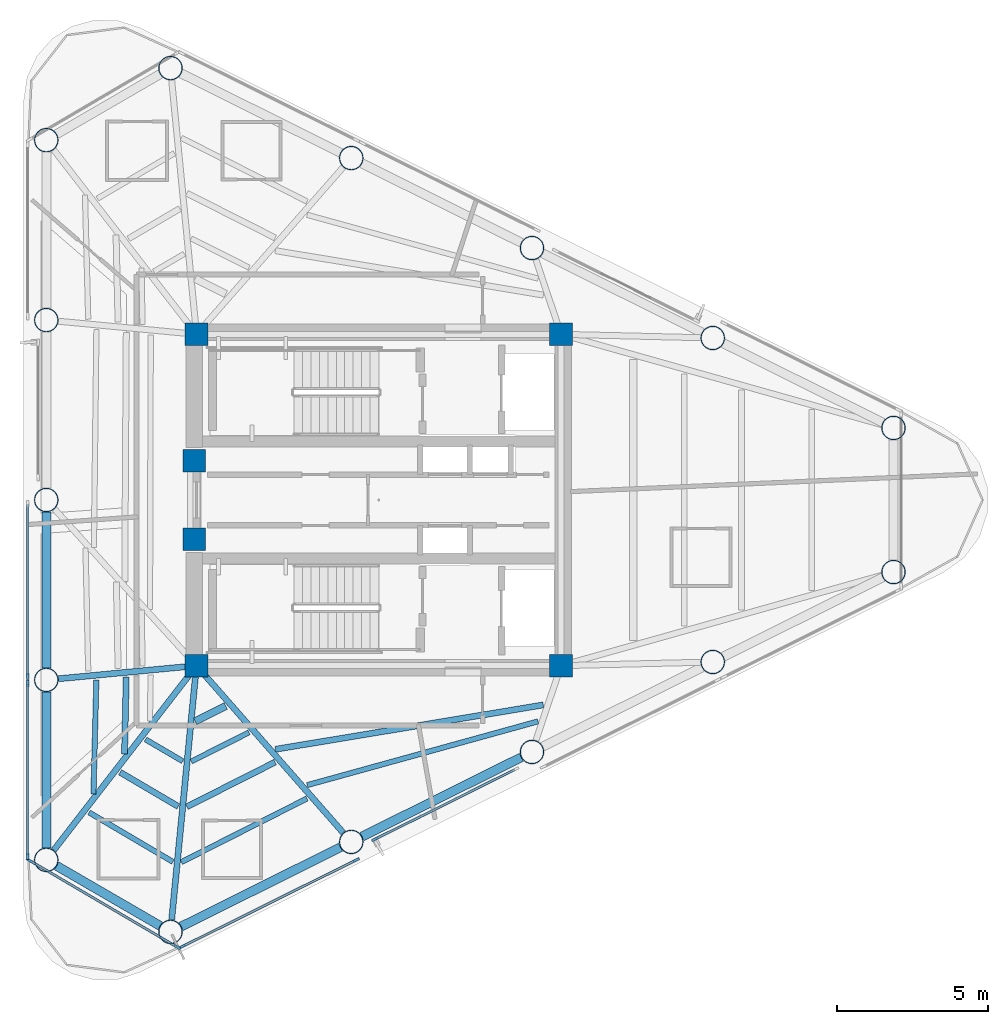
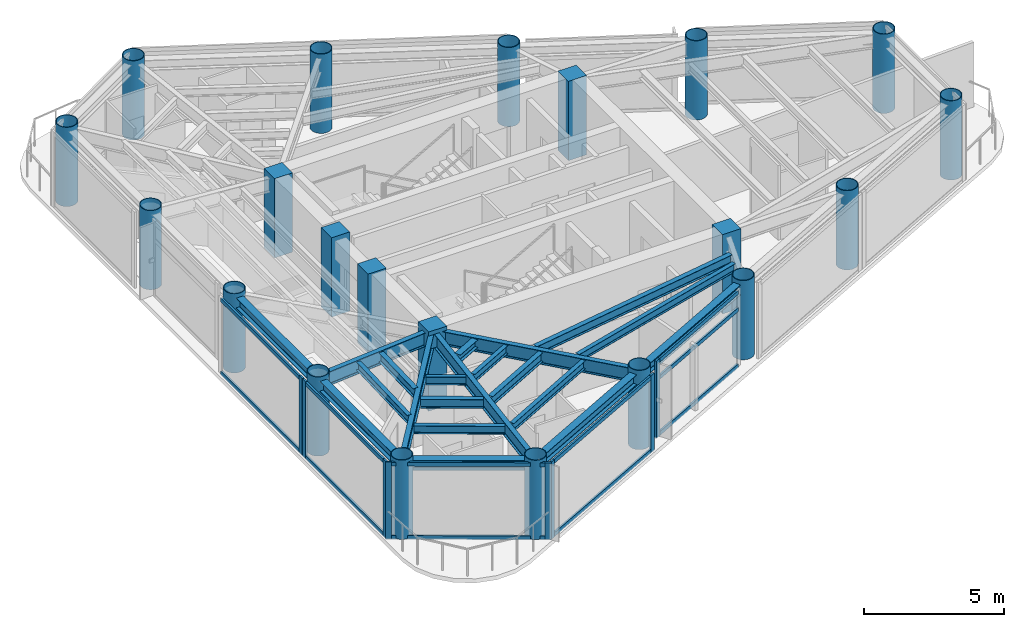
# One storey, part 1 of 10: 21 columns, 20 beams, 19 members, 5 elements without a shape of their own.
"""IFC4 building model written with IfcOpenShell, lengths in metres."""

from ifc_helpers import new_model, si_unit, direction, frame, origin, origin_2d, place, context, subcontext, project, spatial, rectangle, hollow_circle, i_section, extrude, source, transform, mapped, material, layer, layer_set, material_profile, profile_set, type_object, element, aggregate, save


model = new_model("IFC4")

# Units and contexts
model_context = context("Model", 3, precision=1e-05, world=origin(), true_north=direction((0.0, 1.0)))
body_context = subcontext(model_context, "Body", "Model", "MODEL_VIEW")
ifc_project = project(units=[si_unit("LENGTHUNIT", "METRE"), si_unit("AREAUNIT", "SQUARE_METRE"), si_unit("VOLUMEUNIT", "CUBIC_METRE"), si_unit("PLANEANGLEUNIT", "RADIAN"), si_unit("MASSUNIT", "GRAM", prefix="KILO")], contexts=[model_context])

# Site, building, storey
site_placement = place(None, origin())
site = spatial("IfcSite", under=ifc_project, at=site_placement, CompositionType="ELEMENT")
building_placement = place(site_placement, origin())
building = spatial("IfcBuilding", under=site, at=building_placement, Name="Yunling Apex Tower", CompositionType="ELEMENT")
storey_placement = place(building_placement, frame((0.0, 0.0, 300.199951171875)))
storey = spatial("IfcBuildingStorey", under=building, at=storey_placement, Name="L73", CompositionType="ELEMENT", Elevation=300.199951171875)

# Columns
ifc_material_1 = material(Name="Concrete C50", Category="concrete")
ifc_material_profile_1 = material_profile(ifc_material_1, rectangle(XDim=0.75, YDim=0.75, at=origin_2d()))
ifc_profile_set_1 = profile_set([ifc_material_profile_1], Name="Concrete C50")
column_type_1 = type_object("IfcColumnType", Name="PC-SRC-4", PredefinedType="COLUMN", material=ifc_profile_set_1)
shared_shape_1 = source(origin(), body_context, "Body", "SweptSolid", [
    extrude(rectangle(XDim=0.75, YDim=0.75, at=origin_2d()), origin(), (0.0, 0.0, 1.0), 3.449951171875),
])
for number, where, z_axis, x_axis, name in (
    (1, (-6.050048828125, -5.5, 0.0), (0.0, 0.0, 1.0), (1.0, 0.0, 0.0), "L73 Core Spine Column CC-SW"),
    (2, (6.050048828125, -5.5, 0.0), (0.0, 0.0, 1.0), (1.0, 0.0, 0.0), "L73 Core Spine Column CC-SE"),
    (3, (6.050048828125, 5.5, 0.0), (0.0, 0.0, 1.0), (1.0, 0.0, 0.0), "L73 Core Spine Column CC-NE"),
    (4, (-6.050048828125, 5.5, 0.0), (0.0, 0.0, 1.0), (1.0, 0.0, 0.0), "L73 Core Spine Column CC-NW"),
    (5, (-6.125, -1.300048828125, 0.0), (0.0, 0.0, 1.0), (1.0, 0.0, 0.0), "L73 Core West Portal Jamb Column S"),
    (6, (-6.125, 1.300048828125, 0.0), (0.0, 0.0, 1.0), (1.0, 0.0, 0.0), "L73 Core West Portal Jamb Column N"),
):
    element("IfcColumn", number, at=place(storey_placement, frame(where, z_axis=z_axis, x_axis=x_axis)), inside=storey, type_object=column_type_1, Name=name, PredefinedType="COLUMN", context=body_context, shape_type="MappedRepresentation", body=[
        mapped(shared_shape_1, transform((0.0, 0.0, 0.0), scale=1.0)),
    ])
ifc_material_2 = material(Name="Steel Q355B", Category="steel")
ifc_material_profile_2 = material_profile(ifc_material_2, hollow_circle(Radius=0.39990234375, WallThickness=0.028076171875, at=origin_2d()))
ifc_profile_set_2 = profile_set([ifc_material_profile_2], Name="Steel Q355B")
column_type_2 = type_object("IfcColumnType", Name="MC-CFST-7", PredefinedType="COLUMN", material=ifc_profile_set_2)
shared_shape_2 = source(origin(), body_context, "Body", "SweptSolid", [
    extrude(hollow_circle(Radius=0.39990234375, WallThickness=0.028076171875, at=origin_2d()), origin(), (0.0, 0.0, 1.0), 3.449951171875),
])
for number, where, z_axis, x_axis, name in (
    (7, (-6.9140625, -14.336669921875, 0.0), (0.0, 0.0, 1.0), (1.0, 0.0, 0.0), "L73 Perimeter CFST Mega-Column P01"),
    (8, (-0.913818359375, -11.350341796875, 0.0), (0.0, 0.0, 1.0), (1.0, 0.0, 0.0), "L73 Perimeter CFST Mega-Column P02"),
    (9, (5.086181640625, -8.364013671875, 0.0), (0.0, 0.0, 1.0), (1.0, 0.0, 0.0), "L73 Perimeter CFST Mega-Column P03"),
    (10, (11.08642578125, -5.377685546875, 0.0), (0.0, 0.0, 1.0), (1.0, 0.0, 0.0), "L73 Perimeter CFST Mega-Column P04"),
    (11, (17.086669921875, -2.3916015625, 0.0), (0.0, 0.0, 1.0), (1.0, 0.0, 0.0), "L73 Perimeter CFST Mega-Column P05"),
    (12, (17.086669921875, 2.3916015625, 0.0), (0.0, 0.0, 1.0), (1.0, 0.0, 0.0), "L73 Perimeter CFST Mega-Column P06"),
    (13, (11.08642578125, 5.377685546875, 0.0), (0.0, 0.0, 1.0), (1.0, 0.0, 0.0), "L73 Perimeter CFST Mega-Column P07"),
    (14, (5.086181640625, 8.364013671875, 0.0), (0.0, 0.0, 1.0), (1.0, 0.0, 0.0), "L73 Perimeter CFST Mega-Column P08"),
    (15, (-0.913818359375, 11.350341796875, 0.0), (0.0, 0.0, 1.0), (1.0, 0.0, 0.0), "L73 Perimeter CFST Mega-Column P09"),
    (16, (-6.9140625, 14.336669921875, 0.0), (0.0, 0.0, 1.0), (1.0, 0.0, 0.0), "L73 Perimeter CFST Mega-Column P10"),
    (17, (-11.037353515625, 11.9453125, 0.0), (0.0, 0.0, 1.0), (1.0, 0.0, 0.0), "L73 Perimeter CFST Mega-Column P11"),
    (18, (-11.037353515625, 5.97265625, 0.0), (0.0, 0.0, 1.0), (1.0, 0.0, 0.0), "L73 Perimeter CFST Mega-Column P12"),
    (19, (-11.037353515625, 0.0, 0.0), (0.0, 0.0, 1.0), (1.0, 0.0, 0.0), "L73 Perimeter CFST Mega-Column P13"),
    (20, (-11.037353515625, -5.97265625, 0.0), (0.0, 0.0, 1.0), (1.0, 0.0, 0.0), "L73 Perimeter CFST Mega-Column P14"),
    (21, (-11.037353515625, -11.9453125, 0.0), (0.0, 0.0, 1.0), (1.0, 0.0, 0.0), "L73 Perimeter CFST Mega-Column P15"),
):
    element("IfcColumn", number, at=place(storey_placement, frame(where, z_axis=z_axis, x_axis=x_axis)), inside=storey, type_object=column_type_2, Name=name, PredefinedType="COLUMN", context=body_context, shape_type="MappedRepresentation", body=[
        mapped(shared_shape_2, transform((0.0, 0.0, 0.0), scale=1.0)),
    ])

# Beams
ifc_material_profile_3 = material_profile(ifc_material_2, i_section(OverallWidth=0.300048828125, OverallDepth=0.43994140625, WebThickness=0.010986328125, FlangeThickness=0.01806640625, FilletRadius=0.02197265625, at=origin_2d()))
ifc_profile_set_3 = profile_set([ifc_material_profile_3], Name="Steel Q355B")
beam_type_1 = type_object("IfcBeamType", Name="BP-SPN-3", PredefinedType="SPANDREL", material=ifc_profile_set_3)
shared_shape_3 = source(origin(), body_context, "Body", "SweptSolid", [
    extrude(i_section(OverallWidth=0.300048828125, OverallDepth=0.43994140625, WebThickness=0.010986328125, FlangeThickness=0.01806640625, FilletRadius=0.02197265625, at=origin_2d()), origin(), (0.0, 0.0, 1.0), 5.914306640625),
])
for number, where, z_axis, x_axis, name in (
    (22, (-6.561279296875, -14.1611328125, 3.050048828125), (0.895243044542, 0.445578153861, 0.0), (-0.445578153861, 0.895243044542, 0.0), "L73 Perimeter Spandrel Beam 1"),
    (23, (-0.561279296875, -11.1748046875, 3.050048828125), (0.895267705164, 0.445528602999, 0.0), (-0.445528602999, 0.895267705164, 0.0), "L73 Perimeter Spandrel Beam 2"),
):
    element("IfcBeam", number, at=place(storey_placement, frame(where, z_axis=z_axis, x_axis=x_axis)), inside=storey, type_object=beam_type_1, Name=name, PredefinedType="SPANDREL", context=body_context, shape_type="MappedRepresentation", body=[
        mapped(shared_shape_3, transform((0.0, 0.0, 0.0), scale=1.0)),
    ])
shared_shape_4 = source(origin(), body_context, "Body", "SweptSolid", [
    extrude(i_section(OverallWidth=0.300048828125, OverallDepth=0.43994140625, WebThickness=0.010986328125, FlangeThickness=0.01806640625, FilletRadius=0.02197265625, at=origin_2d()), origin(), (0.0, 0.0, 1.0), 3.978515625),
])
beam_1_placement = place(storey_placement, frame((-10.696533203125, -12.142822265625, 3.050048828125), z_axis=(0.86503811344, -0.501706151343, 0.0), x_axis=(0.501706151343, 0.86503811344, 0.0)))
element("IfcBeam", 24, at=beam_1_placement, inside=storey, type_object=beam_type_1, Name="L73 Perimeter Spandrel Beam 15", PredefinedType="SPANDREL", context=body_context, shape_type="MappedRepresentation", body=[
    mapped(shared_shape_4, transform((0.0, 0.0, 0.0), scale=1.0)),
])
shared_shape_5 = source(origin(), body_context, "Body", "SweptSolid", [
    extrude(i_section(OverallWidth=0.300048828125, OverallDepth=0.43994140625, WebThickness=0.010986328125, FlangeThickness=0.01806640625, FilletRadius=0.02197265625, at=origin_2d()), origin(), (0.0, 0.0, 1.0), 5.1845703125),
])
for number, where, z_axis, x_axis, name in (
    (25, (-11.037353515625, -0.39404296875, 3.050048828125), (0.0, -1.0, 0.0), (1.0, 0.0, 0.0), "L73 Perimeter Spandrel Beam 13"),
    (26, (-11.037353515625, -6.36669921875, 3.050048828125), (0.0, -1.0, 0.0), (1.0, 0.0, 0.0), "L73 Perimeter Spandrel Beam 14"),
):
    element("IfcBeam", number, at=place(storey_placement, frame(where, z_axis=z_axis, x_axis=x_axis)), inside=storey, type_object=beam_type_1, Name=name, PredefinedType="SPANDREL", context=body_context, shape_type="MappedRepresentation", body=[
        mapped(shared_shape_5, transform((0.0, 0.0, 0.0), scale=1.0)),
    ])
ifc_material_profile_4 = material_profile(ifc_material_2, i_section(OverallWidth=0.199951171875, OverallDepth=0.60009765625, WebThickness=0.010986328125, FlangeThickness=0.01708984375, FilletRadius=0.02197265625, at=origin_2d()))
ifc_profile_set_4 = profile_set([ifc_material_profile_4], Name="Steel Q355B")
beam_type_2 = type_object("IfcBeamType", Name="BG-PRI-5", PredefinedType="USERDEFINED", material=ifc_profile_set_4)
shared_shape_6 = source(origin(), body_context, "Body", "SweptSolid", [
    extrude(i_section(OverallWidth=0.199951171875, OverallDepth=0.60009765625, WebThickness=0.010986328125, FlangeThickness=0.01708984375, FilletRadius=0.02197265625, at=origin_2d()), origin(), (0.0, 0.0, 1.0), 8.390869140625),
])
beam_2_placement = place(storey_placement, frame((-6.874267578125, -13.9306640625, 2.969970703125), z_axis=(0.097296792844, 0.995255411491, 0.0), x_axis=(-0.995255411491, 0.097296792844, 0.0)))
element("IfcBeam", 27, at=beam_2_placement, inside=storey, type_object=beam_type_2, Name="L73 Radial Primary Girder R01", ObjectType="GIRDER", PredefinedType="USERDEFINED", context=body_context, shape_type="MappedRepresentation", body=[
    mapped(shared_shape_6, transform((0.0, 0.0, 0.0), scale=1.0)),
])
shared_shape_7 = source(origin(), body_context, "Body", "SweptSolid", [
    extrude(i_section(OverallWidth=0.199951171875, OverallDepth=0.60009765625, WebThickness=0.010986328125, FlangeThickness=0.01708984375, FilletRadius=0.02197265625, at=origin_2d()), origin(), (0.0, 0.0, 1.0), 7.297119140625),
])
beam_3_placement = place(storey_placement, frame((-1.18310546875, -11.043701171875, 2.969970703125), z_axis=(-0.659747259747, 0.751487560281, 0.0), x_axis=(-0.751487560281, -0.659747259747, 0.0)))
element("IfcBeam", 28, at=beam_3_placement, inside=storey, type_object=beam_type_2, Name="L73 Radial Primary Girder R02", ObjectType="GIRDER", PredefinedType="USERDEFINED", context=body_context, shape_type="MappedRepresentation", body=[
    mapped(shared_shape_7, transform((0.0, 0.0, 0.0), scale=1.0)),
])
shared_shape_8 = source(origin(), body_context, "Body", "SweptSolid", [
    extrude(i_section(OverallWidth=0.199951171875, OverallDepth=0.60009765625, WebThickness=0.010986328125, FlangeThickness=0.01708984375, FilletRadius=0.02197265625, at=origin_2d()), origin(), (0.0, 0.0, 1.0), 7.661376953125),
])
beam_4_placement = place(storey_placement, frame((-10.78759765625, -11.62255859375, 2.969970703125), z_axis=(0.611959789037, 0.790888877531, 0.0), x_axis=(-0.790888877531, 0.611959789037, 0.0)))
element("IfcBeam", 29, at=beam_4_placement, inside=storey, type_object=beam_type_2, Name="L73 Radial Primary Girder R15", ObjectType="GIRDER", PredefinedType="USERDEFINED", context=body_context, shape_type="MappedRepresentation", body=[
    mapped(shared_shape_8, transform((0.0, 0.0, 0.0), scale=1.0)),
])
shared_shape_9 = source(origin(), body_context, "Body", "SweptSolid", [
    extrude(i_section(OverallWidth=0.199951171875, OverallDepth=0.60009765625, WebThickness=0.010986328125, FlangeThickness=0.01708984375, FilletRadius=0.02197265625, at=origin_2d()), origin(), (0.0, 0.0, 1.0), 4.521728515625),
])
beam_5_placement = place(storey_placement, frame((-10.631103515625, -5.93408203125, 2.969970703125), z_axis=(0.99554122067, 0.094327503661, 0.0), x_axis=(-0.094327503661, 0.99554122067, 0.0)))
element("IfcBeam", 30, at=beam_5_placement, inside=storey, type_object=beam_type_2, Name="L73 Radial Primary Girder R14", ObjectType="GIRDER", PredefinedType="USERDEFINED", context=body_context, shape_type="MappedRepresentation", body=[
    mapped(shared_shape_9, transform((0.0, 0.0, 0.0), scale=1.0)),
])
ifc_material_profile_5 = material_profile(ifc_material_2, i_section(OverallWidth=0.199951171875, OverallDepth=0.39990234375, WebThickness=0.008056640625, FlangeThickness=0.012939453125, FilletRadius=0.01611328125, at=origin_2d()))
ifc_profile_set_5 = profile_set([ifc_material_profile_5], Name="Steel Q355B")
beam_type_3 = type_object("IfcBeamType", Name="BS-SEC-4", PredefinedType="BEAM", material=ifc_profile_set_5)
shared_shape_10 = source(origin(), body_context, "Body", "SweptSolid", [
    extrude(i_section(OverallWidth=0.199951171875, OverallDepth=0.39990234375, WebThickness=0.008056640625, FlangeThickness=0.012939453125, FilletRadius=0.01611328125, at=origin_2d()), origin(), (0.0, 0.0, 1.0), 3.281494140625),
])
beam_6_placement = place(storey_placement, frame((-6.372314453125, -10.18408203125, 3.070068359375), z_axis=(0.892364297468, 0.451315810275, 0.0), x_axis=(-0.451315810275, 0.892364297468, 0.0)))
element("IfcBeam", 31, at=beam_6_placement, inside=storey, type_object=beam_type_3, Name="L73 Composite Floor Beam BS-1", PredefinedType="BEAM", context=body_context, shape_type="MappedRepresentation", body=[
    mapped(shared_shape_10, transform((0.0, 0.0, 0.0), scale=1.0)),
])
ifc_material_profile_6 = material_profile(ifc_material_2, i_section(OverallWidth=0.175048828125, OverallDepth=0.35009765625, WebThickness=0.007080078125, FlangeThickness=0.010986328125, FilletRadius=0.013916015625, at=origin_2d()))
ifc_profile_set_6 = profile_set([ifc_material_profile_6], Name="Steel Q355B")
beam_type_4 = type_object("IfcBeamType", Name="BJ-JST-1", PredefinedType="JOIST", material=ifc_profile_set_6)
shared_shape_11 = source(origin(), body_context, "Body", "SweptSolid", [
    extrude(i_section(OverallWidth=0.175048828125, OverallDepth=0.35009765625, WebThickness=0.007080078125, FlangeThickness=0.010986328125, FilletRadius=0.013916015625, at=origin_2d()), origin(), (0.0, 0.0, 1.0), 4.67138671875),
])
beam_7_placement = place(storey_placement, frame((-6.552001953125, -12.02099609375, 3.094970703125), z_axis=(0.892031280848, 0.45197366515, 0.0), x_axis=(-0.45197366515, 0.892031280848, 0.0)))
element("IfcBeam", 32, at=beam_7_placement, inside=storey, type_object=beam_type_4, Name="L73 Composite Floor Joist BJ1-1", PredefinedType="JOIST", context=body_context, shape_type="MappedRepresentation", body=[
    mapped(shared_shape_11, transform((0.0, 0.0, 0.0), scale=1.0)),
])
shared_shape_12 = source(origin(), body_context, "Body", "SweptSolid", [
    extrude(i_section(OverallWidth=0.175048828125, OverallDepth=0.35009765625, WebThickness=0.007080078125, FlangeThickness=0.010986328125, FilletRadius=0.013916015625, at=origin_2d()), origin(), (0.0, 0.0, 1.0), 2.143798828125),
])
beam_8_placement = place(storey_placement, frame((-6.22509765625, -8.680908203125, 3.094970703125), z_axis=(0.892941835578, 0.45017205408, 0.0), x_axis=(-0.45017205408, 0.892941835578, 0.0)))
element("IfcBeam", 33, at=beam_8_placement, inside=storey, type_object=beam_type_4, Name="L73 Composite Floor Joist BJ3-1", PredefinedType="JOIST", context=body_context, shape_type="MappedRepresentation", body=[
    mapped(shared_shape_12, transform((0.0, 0.0, 0.0), scale=1.0)),
])
ifc_material_profile_7 = material_profile(ifc_material_2, i_section(OverallWidth=0.25, OverallDepth=0.340087890625, WebThickness=0.009033203125, FlangeThickness=0.013916015625, FilletRadius=0.01806640625, at=origin_2d()))
ifc_profile_set_7 = profile_set([ifc_material_profile_7], Name="Steel Q355B")
beam_type_5 = type_object("IfcBeamType", Name="BJ-JST-2", PredefinedType="JOIST", material=ifc_profile_set_7)
shared_shape_13 = source(origin(), body_context, "Body", "SweptSolid", [
    extrude(i_section(OverallWidth=0.25, OverallDepth=0.340087890625, WebThickness=0.009033203125, FlangeThickness=0.013916015625, FilletRadius=0.01806640625, at=origin_2d()), origin(), (0.0, 0.0, 1.0), 1.1328125),
])
beam_9_placement = place(storey_placement, frame((-6.09423828125, -7.34521484375, 3.10009765625), z_axis=(0.894211562533, 0.447644592765, 0.0), x_axis=(-0.447644592765, 0.894211562533, 0.0)))
element("IfcBeam", 34, at=beam_9_placement, inside=storey, type_object=beam_type_5, Name="L73 Composite Floor Joist BJ2-1", PredefinedType="JOIST", context=body_context, shape_type="MappedRepresentation", body=[
    mapped(shared_shape_13, transform((0.0, 0.0, 0.0), scale=1.0)),
])
shared_shape_14 = source(origin(), body_context, "Body", "SweptSolid", [
    extrude(i_section(OverallWidth=0.199951171875, OverallDepth=0.39990234375, WebThickness=0.008056640625, FlangeThickness=0.012939453125, FilletRadius=0.01611328125, at=origin_2d()), origin(), (0.0, 0.0, 1.0), 9.01611328125),
])
beam_10_placement = place(storey_placement, frame((-3.432373046875, -8.27587890625, 3.070068359375), z_axis=(0.986561729833, 0.163388962996, 0.0), x_axis=(-0.163388962996, 0.986561729833, 0.0)))
element("IfcBeam", 35, at=beam_10_placement, inside=storey, type_object=beam_type_3, Name="L73 Composite Floor Beam BS-2", PredefinedType="BEAM", context=body_context, shape_type="MappedRepresentation", body=[
    mapped(shared_shape_14, transform((0.0, 0.0, 0.0), scale=1.0)),
])
shared_shape_15 = source(origin(), body_context, "Body", "SweptSolid", [
    extrude(i_section(OverallWidth=0.175048828125, OverallDepth=0.35009765625, WebThickness=0.007080078125, FlangeThickness=0.010986328125, FilletRadius=0.013916015625, at=origin_2d()), origin(), (0.0, 0.0, 1.0), 7.952392578125),
])
beam_11_placement = place(storey_placement, frame((-2.376708984375, -9.4658203125, 3.094970703125), z_axis=(0.963874198485, 0.266357897377, 0.0), x_axis=(-0.266357897377, 0.963874198485, 0.0)))
element("IfcBeam", 36, at=beam_11_placement, inside=storey, type_object=beam_type_4, Name="L73 Composite Floor Joist BJ1-2", PredefinedType="JOIST", context=body_context, shape_type="MappedRepresentation", body=[
    mapped(shared_shape_15, transform((0.0, 0.0, 0.0), scale=1.0)),
])
shared_shape_16 = source(origin(), body_context, "Body", "SweptSolid", [
    extrude(i_section(OverallWidth=0.199951171875, OverallDepth=0.39990234375, WebThickness=0.008056640625, FlangeThickness=0.012939453125, FilletRadius=0.01611328125, at=origin_2d()), origin(), (0.0, 0.0, 1.0), 2.552734375),
])
beam_12_placement = place(storey_placement, frame((-8.3837890625, -5.880859375, 3.070068359375), z_axis=(-0.021902331041, -0.999760115175, 0.0), x_axis=(0.999760115175, -0.021902331041, 0.0)))
element("IfcBeam", 37, at=beam_12_placement, inside=storey, type_object=beam_type_3, Name="L73 Composite Floor Beam BS-14", PredefinedType="BEAM", context=body_context, shape_type="MappedRepresentation", body=[
    mapped(shared_shape_16, transform((0.0, 0.0, 0.0), scale=1.0)),
])
shared_shape_17 = source(origin(), body_context, "Body", "SweptSolid", [
    extrude(i_section(OverallWidth=0.175048828125, OverallDepth=0.35009765625, WebThickness=0.007080078125, FlangeThickness=0.010986328125, FilletRadius=0.013916015625, at=origin_2d()), origin(), (0.0, 0.0, 1.0), 3.792724609375),
])
beam_13_placement = place(storey_placement, frame((-9.374755859375, -5.974609375, 3.094970703125), z_axis=(-0.02529776075, -0.999679960438, 0.0), x_axis=(0.999679960438, -0.02529776075, 0.0)))
element("IfcBeam", 38, at=beam_13_placement, inside=storey, type_object=beam_type_4, Name="L73 Composite Floor Joist BJ1-14", PredefinedType="JOIST", context=body_context, shape_type="MappedRepresentation", body=[
    mapped(shared_shape_17, transform((0.0, 0.0, 0.0), scale=1.0)),
])
shared_shape_18 = source(origin(), body_context, "Body", "SweptSolid", [
    extrude(i_section(OverallWidth=0.199951171875, OverallDepth=0.39990234375, WebThickness=0.008056640625, FlangeThickness=0.012939453125, FilletRadius=0.01611328125, at=origin_2d()), origin(), (0.0, 0.0, 1.0), 2.243408203125),
])
beam_14_placement = place(storey_placement, frame((-8.586669921875, -9.03759765625, 3.070068359375), z_axis=(0.861925822056, -0.507034394566, 0.0), x_axis=(0.507034394566, 0.861925822056, 0.0)))
element("IfcBeam", 39, at=beam_14_placement, inside=storey, type_object=beam_type_3, Name="L73 Composite Floor Beam BS-15", PredefinedType="BEAM", context=body_context, shape_type="MappedRepresentation", body=[
    mapped(shared_shape_18, transform((0.0, 0.0, 0.0), scale=1.0)),
])
shared_shape_19 = source(origin(), body_context, "Body", "SweptSolid", [
    extrude(i_section(OverallWidth=0.175048828125, OverallDepth=0.35009765625, WebThickness=0.007080078125, FlangeThickness=0.010986328125, FilletRadius=0.013916015625, at=origin_2d()), origin(), (0.0, 0.0, 1.0), 3.233642578125),
])
beam_15_placement = place(storey_placement, frame((-9.618408203125, -10.37060546875, 3.094970703125), z_axis=(0.861549665957, -0.507673293655, 0.0), x_axis=(0.507673293655, 0.861549665957, 0.0)))
element("IfcBeam", 40, at=beam_15_placement, inside=storey, type_object=beam_type_4, Name="L73 Composite Floor Joist BJ1-15", PredefinedType="JOIST", context=body_context, shape_type="MappedRepresentation", body=[
    mapped(shared_shape_19, transform((0.0, 0.0, 0.0), scale=1.0)),
])
shared_shape_20 = source(origin(), body_context, "Body", "SweptSolid", [
    extrude(i_section(OverallWidth=0.175048828125, OverallDepth=0.35009765625, WebThickness=0.007080078125, FlangeThickness=0.010986328125, FilletRadius=0.013916015625, at=origin_2d()), origin(), (0.0, 0.0, 1.0), 1.43359375),
])
beam_16_placement = place(storey_placement, frame((-7.74267578125, -7.94677734375, 3.094970703125), z_axis=(0.862559589494, -0.50595548675, 0.0), x_axis=(0.50595548675, 0.862559589494, 0.0)))
element("IfcBeam", 41, at=beam_16_placement, inside=storey, type_object=beam_type_4, Name="L73 Composite Floor Joist BJ3-15", PredefinedType="JOIST", context=body_context, shape_type="MappedRepresentation", body=[
    mapped(shared_shape_20, transform((0.0, 0.0, 0.0), scale=1.0)),
])

# Curtain wall, members
ifc_material_3 = material(Name="Bronze anodised aluminium", Category="aluminium")
ifc_layer = layer(ifc_material_3, 0.219970703125)
ifc_layer_set = layer_set([ifc_layer], Name="Bronze anodised aluminium")
curtain_wall_type = type_object("IfcCurtainWallType", Name="CW-SYS-4", PredefinedType="NOTDEFINED", material=ifc_layer_set)
curtain_wall_1_placement = place(storey_placement, origin())
curtain_wall_1 = element("IfcCurtainWall", 42, at=curtain_wall_1_placement, inside=storey, type_object=curtain_wall_type, Name="CW-L73-F1-B1", PredefinedType="NOTDEFINED")
ifc_material_profile_8 = material_profile(ifc_material_3, rectangle(XDim=0.080078125, YDim=0.169921875, at=origin_2d()))
ifc_profile_set_8 = profile_set([ifc_material_profile_8], Name="Bronze anodised aluminium")
member_type_1 = type_object("IfcMemberType", Name="CW-TRN-4", PredefinedType="USERDEFINED", material=ifc_profile_set_8)
shared_shape_21 = source(origin(), body_context, "Body", "SweptSolid", [
    extrude(rectangle(XDim=0.080078125, YDim=0.169921875, at=origin_2d()), origin(), (0.0, 0.0, 1.0), 6.39013671875),
])
member_1_placement = place(storey_placement, frame((-6.50244140625, -14.813232421875, 0.0400390625), z_axis=(0.89525092504, 0.445562320238, 0.0), x_axis=(-0.445562320238, 0.89525092504, 0.0)))
member_1 = element("IfcMember", 43, at=member_1_placement, type_object=member_type_1, Name="CW-SYS-4 transom 1.1", ObjectType="TRANSOM", PredefinedType="USERDEFINED", context=body_context, shape_type="MappedRepresentation", body=[
    mapped(shared_shape_21, transform((0.0, 0.0, 0.0), scale=1.0)),
])
member_2_placement = place(storey_placement, frame((-6.50244140625, -14.813232421875, 3.22998046875), z_axis=(0.89525092504, 0.445562320238, 0.0), x_axis=(-0.445562320238, 0.89525092504, 0.0)))
member_2 = element("IfcMember", 44, at=member_2_placement, type_object=member_type_1, Name="CW-SYS-4 transom 1.2", ObjectType="TRANSOM", PredefinedType="USERDEFINED", context=body_context, shape_type="MappedRepresentation", body=[
    mapped(shared_shape_21, transform((0.0, 0.0, 0.0), scale=1.0)),
])

curtain_wall_2_placement = place(storey_placement, origin())
curtain_wall_2 = element("IfcCurtainWall", 45, at=curtain_wall_2_placement, inside=storey, type_object=curtain_wall_type, Name="CW-L73-F1-B2", PredefinedType="NOTDEFINED")
shared_shape_22 = source(origin(), body_context, "Body", "SweptSolid", [
    extrude(rectangle(XDim=0.080078125, YDim=0.169921875, at=origin_2d()), origin(), (0.0, 0.0, 1.0), 5.150390625),
])
member_3_placement = place(storey_placement, frame((-0.098876953125, -11.246337890625, 0.0400390625), z_axis=(0.895259933779, 0.445544218871, 0.0), x_axis=(-0.445544218871, 0.895259933779, 0.0)))
member_3 = element("IfcMember", 46, at=member_3_placement, type_object=member_type_1, Name="CW-SYS-4 transom 1.1", ObjectType="TRANSOM", PredefinedType="USERDEFINED", context=body_context, shape_type="MappedRepresentation", body=[
    mapped(shared_shape_22, transform((0.0, 0.0, 0.0), scale=1.0)),
])
member_4_placement = place(storey_placement, frame((-0.098876953125, -11.246337890625, 2.4853515625), z_axis=(0.895259933779, 0.445544218871, 0.0), x_axis=(-0.445544218871, 0.895259933779, 0.0)))
member_4 = element("IfcMember", 47, at=member_4_placement, type_object=member_type_1, Name="CW-SYS-4 transom 1.2", ObjectType="TRANSOM", PredefinedType="USERDEFINED", context=body_context, shape_type="MappedRepresentation", body=[
    mapped(shared_shape_22, transform((0.0, 0.0, 0.0), scale=1.0)),
])
member_5_placement = place(storey_placement, frame((-0.098876953125, -11.246337890625, 3.22998046875), z_axis=(0.895259933779, 0.445544218871, 0.0), x_axis=(-0.445544218871, 0.895259933779, 0.0)))
member_5 = element("IfcMember", 48, at=member_5_placement, type_object=member_type_1, Name="CW-SYS-4 transom 1.3", ObjectType="TRANSOM", PredefinedType="USERDEFINED", context=body_context, shape_type="MappedRepresentation", body=[
    mapped(shared_shape_22, transform((0.0, 0.0, 0.0), scale=1.0)),
])

curtain_wall_3_placement = place(storey_placement, origin())
curtain_wall_3 = element("IfcCurtainWall", 49, at=curtain_wall_3_placement, inside=storey, type_object=curtain_wall_type, Name="CW-L73-CRN3", PredefinedType="NOTDEFINED")
shared_shape_23 = source(origin(), body_context, "Body", "SweptSolid", [
    extrude(rectangle(XDim=0.080078125, YDim=0.169921875, at=origin_2d()), origin(), (0.0, 0.0, 1.0), 5.61767578125),
])
member_6_placement = place(storey_placement, frame((-11.561767578125, -11.983642578125, 0.0400390625), z_axis=(0.862486715055, -0.506079703558, 0.0), x_axis=(0.506079703558, 0.862486715055, 0.0)))
member_6 = element("IfcMember", 50, at=member_6_placement, type_object=member_type_1, Name="CW-SYS-4 transom 1.1", ObjectType="TRANSOM", PredefinedType="USERDEFINED", context=body_context, shape_type="MappedRepresentation", body=[
    mapped(shared_shape_23, transform((0.0, 0.0, 0.0), scale=1.0)),
])
member_7_placement = place(storey_placement, frame((-11.561767578125, -11.983642578125, 3.22998046875), z_axis=(0.862486715055, -0.506079703558, 0.0), x_axis=(0.506079703558, 0.862486715055, 0.0)))
member_7 = element("IfcMember", 51, at=member_7_placement, type_object=member_type_1, Name="CW-SYS-4 transom 1.2", ObjectType="TRANSOM", PredefinedType="USERDEFINED", context=body_context, shape_type="MappedRepresentation", body=[
    mapped(shared_shape_23, transform((0.0, 0.0, 0.0), scale=1.0)),
])

curtain_wall_4_placement = place(storey_placement, origin())
curtain_wall_4 = element("IfcCurtainWall", 52, at=curtain_wall_4_placement, inside=storey, type_object=curtain_wall_type, Name="CW-L73-F3-B3", PredefinedType="NOTDEFINED")
shared_shape_24 = source(origin(), body_context, "Body", "SweptSolid", [
    extrude(rectangle(XDim=0.080078125, YDim=0.169921875, at=origin_2d()), origin(), (0.0, 0.0, 1.0), 5.66064453125),
])
member_8_placement = place(storey_placement, frame((-11.647216796875, -0.156005859375, 0.0400390625), z_axis=(0.0, -1.0, 0.0), x_axis=(1.0, 0.0, 0.0)))
member_8 = element("IfcMember", 53, at=member_8_placement, type_object=member_type_1, Name="CW-SYS-4 transom 1.1", ObjectType="TRANSOM", PredefinedType="USERDEFINED", context=body_context, shape_type="MappedRepresentation", body=[
    mapped(shared_shape_24, transform((0.0, 0.0, 0.0), scale=1.0)),
])
member_9_placement = place(storey_placement, frame((-11.647216796875, -0.156005859375, 3.22998046875), z_axis=(0.0, -1.0, 0.0), x_axis=(1.0, 0.0, 0.0)))
member_9 = element("IfcMember", 54, at=member_9_placement, type_object=member_type_1, Name="CW-SYS-4 transom 1.2", ObjectType="TRANSOM", PredefinedType="USERDEFINED", context=body_context, shape_type="MappedRepresentation", body=[
    mapped(shared_shape_24, transform((0.0, 0.0, 0.0), scale=1.0)),
])

curtain_wall_5_placement = place(storey_placement, origin())
curtain_wall_5 = element("IfcCurtainWall", 55, at=curtain_wall_5_placement, inside=storey, type_object=curtain_wall_type, Name="CW-L73-F3-B4", PredefinedType="NOTDEFINED")
member_10_placement = place(storey_placement, frame((-11.647216796875, -6.128662109375, 0.0400390625), z_axis=(0.0, -1.0, 0.0), x_axis=(1.0, 0.0, 0.0)))
member_10 = element("IfcMember", 56, at=member_10_placement, type_object=member_type_1, Name="CW-SYS-4 transom 1.1", ObjectType="TRANSOM", PredefinedType="USERDEFINED", context=body_context, shape_type="MappedRepresentation", body=[
    mapped(shared_shape_24, transform((0.0, 0.0, 0.0), scale=1.0)),
])
member_11_placement = place(storey_placement, frame((-11.647216796875, -6.128662109375, 3.22998046875), z_axis=(0.0, -1.0, 0.0), x_axis=(1.0, 0.0, 0.0)))
member_11 = element("IfcMember", 57, at=member_11_placement, type_object=member_type_1, Name="CW-SYS-4 transom 1.2", ObjectType="TRANSOM", PredefinedType="USERDEFINED", context=body_context, shape_type="MappedRepresentation", body=[
    mapped(shared_shape_24, transform((0.0, 0.0, 0.0), scale=1.0)),
])

# Member
ifc_material_profile_9 = material_profile(ifc_material_3, rectangle(XDim=0.080078125, YDim=0.219970703125, at=origin_2d()))
ifc_profile_set_9 = profile_set([ifc_material_profile_9], Name="Bronze anodised aluminium")
member_type_2 = type_object("IfcMemberType", Name="CW-MUL-4", PredefinedType="MULLION", material=ifc_profile_set_9)
shared_shape_25 = source(origin(), body_context, "Body", "SweptSolid", [
    extrude(rectangle(XDim=0.080078125, YDim=0.219970703125, at=origin_2d()), origin(), (0.0, 0.0, 1.0), 3.3701171875),
])
member_12_placement = place(storey_placement, frame((-6.534912109375, -14.829345703125, -0.050048828125), z_axis=(0.0, 0.0, 1.0), x_axis=(-0.445568135078, 0.895248030996, 0.0)))
member_12 = element("IfcMember", 58, at=member_12_placement, type_object=member_type_2, Name="CW-SYS-4 mullion 1", PredefinedType="MULLION", context=body_context, shape_type="MappedRepresentation", body=[
    mapped(shared_shape_25, transform((0.0, 0.0, 0.0), scale=1.0)),
])

member_13_placement = place(storey_placement, frame((-0.74951171875, -11.949951171875, -0.050048828125), z_axis=(0.0, 0.0, 1.0), x_axis=(-0.445568135078, 0.895248030996, 0.0)))
member_13 = element("IfcMember", 59, at=member_13_placement, type_object=member_type_2, Name="CW-SYS-4 mullion 2", PredefinedType="MULLION", context=body_context, shape_type="MappedRepresentation", body=[
    mapped(shared_shape_25, transform((0.0, 0.0, 0.0), scale=1.0)),
])

aggregate(curtain_wall_1, [member_12, member_13, member_1, member_2])

member_14_placement = place(storey_placement, frame((-0.131103515625, -11.262451171875, -0.050048828125), z_axis=(0.0, 0.0, 1.0), x_axis=(-0.445560721723, 0.895251720611, 0.0)))
member_14 = element("IfcMember", 60, at=member_14_placement, type_object=member_type_2, Name="CW-SYS-4 mullion 1", PredefinedType="MULLION", context=body_context, shape_type="MappedRepresentation", body=[
    mapped(shared_shape_25, transform((0.0, 0.0, 0.0), scale=1.0)),
])

aggregate(curtain_wall_2, [member_14, member_3, member_4, member_5])

member_15_placement = place(storey_placement, frame((-11.647216796875, -5.8525390625, -0.050048828125), z_axis=(0.0, 0.0, 1.0), x_axis=(1.0, 0.0, 0.0)))
member_15 = element("IfcMember", 61, at=member_15_placement, type_object=member_type_2, Name="CW-SYS-4 mullion 2", PredefinedType="MULLION", context=body_context, shape_type="MappedRepresentation", body=[
    mapped(shared_shape_25, transform((0.0, 0.0, 0.0), scale=1.0)),
])

aggregate(curtain_wall_4, [member_15, member_8, member_9])

member_16_placement = place(storey_placement, frame((-11.647216796875, -6.092529296875, -0.050048828125), z_axis=(0.0, 0.0, 1.0), x_axis=(1.0, 0.0, 0.0)))
member_16 = element("IfcMember", 62, at=member_16_placement, type_object=member_type_2, Name="CW-SYS-4 mullion 1", PredefinedType="MULLION", context=body_context, shape_type="MappedRepresentation", body=[
    mapped(shared_shape_25, transform((0.0, 0.0, 0.0), scale=1.0)),
])

member_17_placement = place(storey_placement, frame((-11.647216796875, -11.8251953125, -0.050048828125), z_axis=(0.0, 0.0, 1.0), x_axis=(1.0, 0.0, 0.0)))
member_17 = element("IfcMember", 63, at=member_17_placement, type_object=member_type_2, Name="CW-SYS-4 mullion 2", PredefinedType="MULLION", context=body_context, shape_type="MappedRepresentation", body=[
    mapped(shared_shape_25, transform((0.0, 0.0, 0.0), scale=1.0)),
])

aggregate(curtain_wall_5, [member_16, member_17, member_10, member_11])

member_18_placement = place(storey_placement, frame((-11.5927734375, -11.96533203125, -0.050048828125), z_axis=(0.0, 0.0, 1.0), x_axis=(0.506069970256, 0.862492426173, 0.0)))
member_18 = element("IfcMember", 64, at=member_18_placement, type_object=member_type_2, Name="CW-SYS-4 mullion 1", PredefinedType="MULLION", context=body_context, shape_type="MappedRepresentation", body=[
    mapped(shared_shape_25, transform((0.0, 0.0, 0.0), scale=1.0)),
])

member_19_placement = place(storey_placement, frame((-6.685546875, -14.8447265625, -0.050048828125), z_axis=(0.0, 0.0, 1.0), x_axis=(0.506069970256, 0.862492426173, 0.0)))
member_19 = element("IfcMember", 65, at=member_19_placement, type_object=member_type_2, Name="CW-SYS-4 mullion 2", PredefinedType="MULLION", context=body_context, shape_type="MappedRepresentation", body=[
    mapped(shared_shape_25, transform((0.0, 0.0, 0.0), scale=1.0)),
])

aggregate(curtain_wall_3, [member_18, member_19, member_6, member_7])

save(model, "model.ifc")
